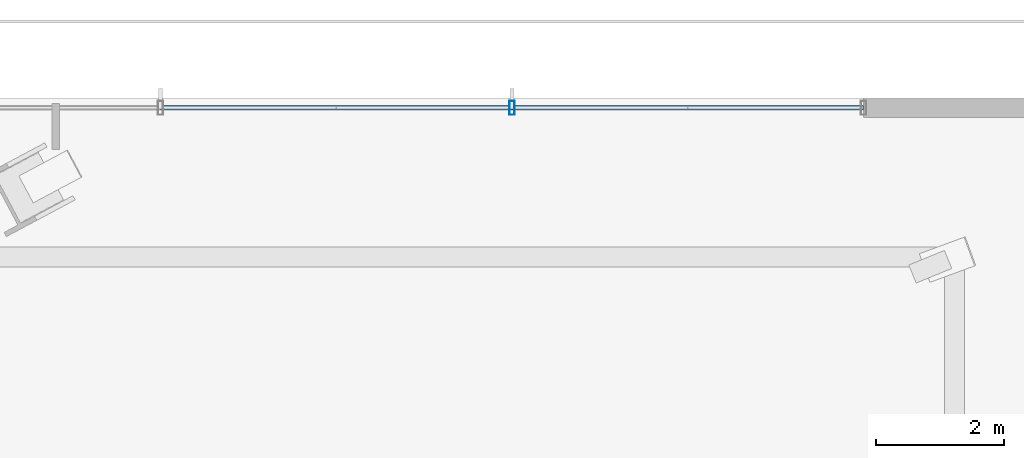
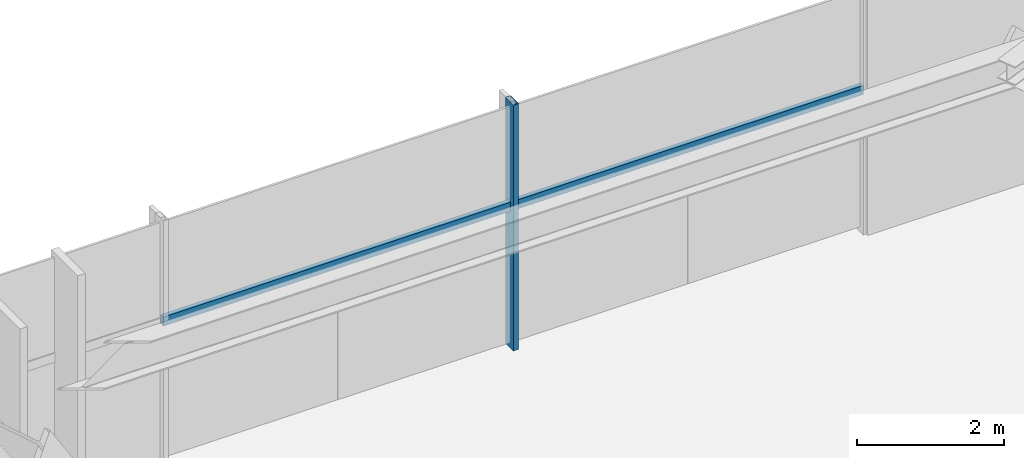
# One storey, part 19 of 33: 3 members, 1 element without a shape of its own.
"""IFC4 building model written with IfcOpenShell, lengths in metres."""

from ifc_helpers import new_model, si_unit, direction, frame, origin, origin_2d, place, context, subcontext, project, spatial, hollow_rectangle, extrude, source, transform, mapped, material, material_profile, profile_set, type_object, type_shapes, element, aggregate, save


model = new_model("IFC4")

# Units and contexts
model_context = context("Model", 3, precision=1e-05, world=origin(), true_north=direction((0.0, 1.0)))
body_context = subcontext(model_context, "Body", "Model", "MODEL_VIEW")
ifc_project = project(units=[si_unit("LENGTHUNIT", "METRE"), si_unit("AREAUNIT", "SQUARE_METRE"), si_unit("VOLUMEUNIT", "CUBIC_METRE"), si_unit("PLANEANGLEUNIT", "RADIAN"), si_unit("MASSUNIT", "GRAM", prefix="KILO")], contexts=[model_context])

# Site, building, storey
site_placement = place(None, origin())
site = spatial("IfcSite", under=ifc_project, at=site_placement, CompositionType="ELEMENT")
building_placement = place(site_placement, origin())
building = spatial("IfcBuilding", under=site, at=building_placement, Name="Astriad Promenade Condominiums", CompositionType="ELEMENT")
storey_placement = place(building_placement, frame((0.0, 0.0, 9.5)))
storey = spatial("IfcBuildingStorey", under=building, at=storey_placement, Name="L02", CompositionType="ELEMENT", Elevation=9.5)

# Curtain wall, members
ifc_material_1 = material(Name="Anodised aluminium Black Dark Glass Unitised", Category="aluminium")
curtain_wall_type = type_object("IfcCurtainWallType", Name="CW-POD-DARK", PredefinedType="USERDEFINED", material=ifc_material_1)
curtain_wall_placement = place(storey_placement, origin())
curtain_wall = element("IfcCurtainWall", 1, at=curtain_wall_placement, inside=storey, type_object=curtain_wall_type, Name="CW-L02-N", ObjectType="UNITISED_CURTAIN_WALL", PredefinedType="USERDEFINED")
ifc_material_2 = material(Name="Anodised aluminium 6063-T6 Black", Category="aluminium")
ifc_material_profile_1 = material_profile(ifc_material_2, hollow_rectangle(XDim=0.0849609375, YDim=0.219970703125, WallThickness=0.0048828125, at=origin_2d()), Name="ALU-MUL-85X220")
ifc_profile_set_1 = profile_set([ifc_material_profile_1], Name="Anodised aluminium 6063-T6 Black")
member_type_1 = type_object("IfcMemberType", Name="MUL-ALU-MUL-85X220", PredefinedType="MULLION", material=ifc_profile_set_1)
shared_shape_1 = source(origin(), body_context, "Body", "SweptSolid", [
    extrude(hollow_rectangle(XDim=0.0849609375, YDim=0.219970703125, WallThickness=0.0048828125, at=origin_2d()), origin(), (0.0, 0.0, 1.0), 4.080078125),
])
type_shapes(member_type_1, [shared_shape_1])
member_1_placement = place(storey_placement, frame((63.75, 34.25, 0.0), z_axis=(0.0, 0.0, 1.0), x_axis=(1.0, 0.0, 0.0)))
member_1 = element("IfcMember", 2, at=member_1_placement, type_object=member_type_1, Name="CW-L02-N-MUL-10", PredefinedType="MULLION", context=body_context, shape_type="MappedRepresentation", body=[
    mapped(shared_shape_1, transform((0.0, 0.0, 0.0), scale=1.0)),
])
ifc_material_profile_2 = material_profile(ifc_material_2, hollow_rectangle(XDim=0.074951171875, YDim=0.14990234375, WallThickness=0.004150390625, at=origin_2d()), Name="ALU-TRN-75X150")
ifc_profile_set_2 = profile_set([ifc_material_profile_2], Name="Anodised aluminium 6063-T6 Black")
member_type_2 = type_object("IfcMemberType", Name="TRN-ALU-TRN-75X150", PredefinedType="USERDEFINED", material=ifc_profile_set_2)
shared_shape_2 = source(origin(), body_context, "Body", "SweptSolid", [
    extrude(hollow_rectangle(XDim=0.074951171875, YDim=0.14990234375, WallThickness=0.004150390625, at=origin_2d()), origin(), (0.0, 0.0, 1.0), 5.5),
])
type_shapes(member_type_2, [shared_shape_2])
member_2_placement = place(storey_placement, frame((58.25, 34.25, 2.35009765625), z_axis=(1.0, 0.0, 0.0), x_axis=(0.0, 1.0, 0.0)))
member_2 = element("IfcMember", 3, at=member_2_placement, type_object=member_type_2, Name="CW-L02-N-TRN-09-0", ObjectType="TRANSOM", PredefinedType="USERDEFINED", context=body_context, shape_type="MappedRepresentation", body=[
    mapped(shared_shape_2, transform((0.0, 0.0, 0.0), scale=1.0)),
])
member_3_placement = place(storey_placement, frame((63.75, 34.25, 2.35009765625), z_axis=(1.0, 0.0, 0.0), x_axis=(0.0, 1.0, 0.0)))
member_3 = element("IfcMember", 4, at=member_3_placement, type_object=member_type_2, Name="CW-L02-N-TRN-10-0", ObjectType="TRANSOM", PredefinedType="USERDEFINED", context=body_context, shape_type="MappedRepresentation", body=[
    mapped(shared_shape_2, transform((0.0, 0.0, 0.0), scale=1.0)),
])
aggregate(curtain_wall, [member_1, member_2, member_3])

save(model, "model.ifc")
